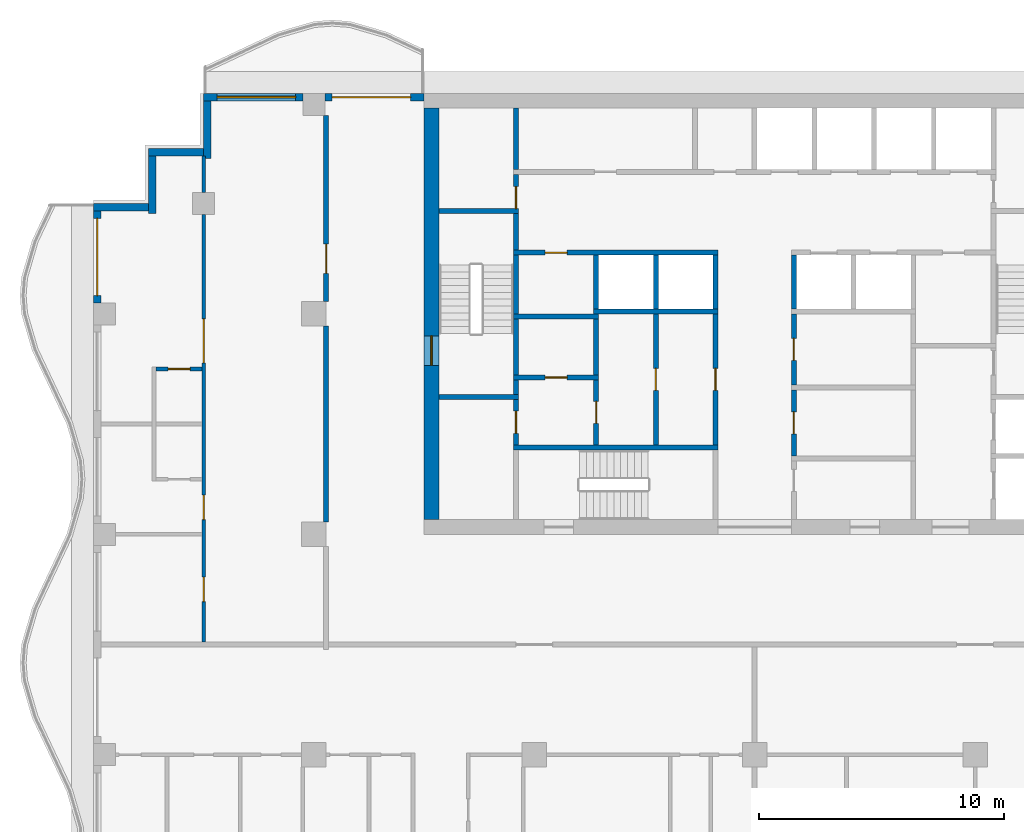
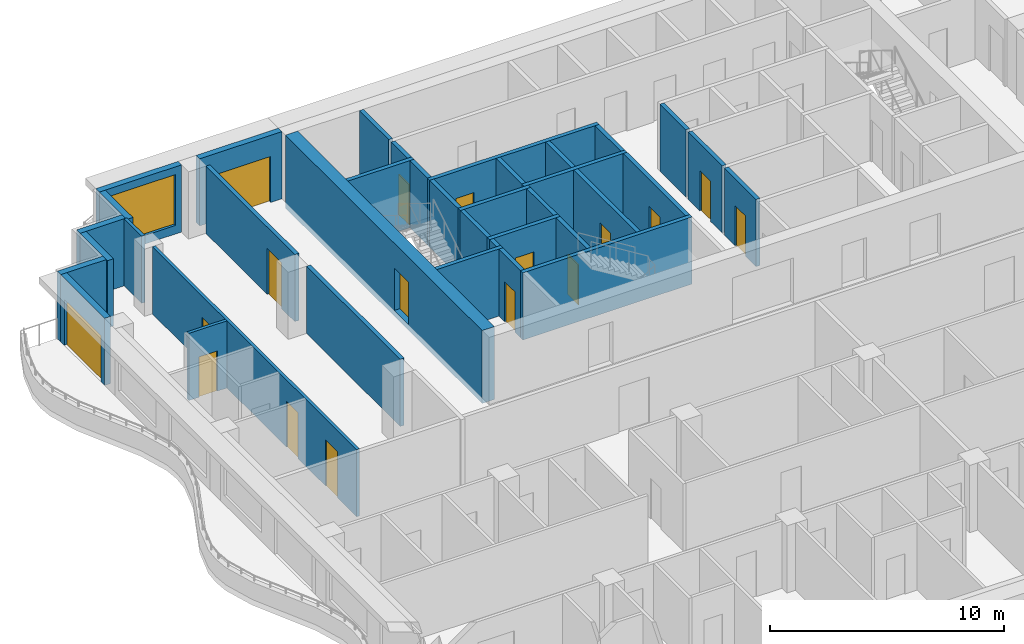
# One storey, part 5 of 11: 37 walls, 17 doors, 1 window, 18 openings.
"""IFC4 building model written with IfcOpenShell, lengths in metres."""

from ifc_helpers import new_model, si_unit, direction, frame, frame_2d, origin, place, context, subcontext, project, spatial, rectangle, extrude, material, layer, layer_set, type_object, element, fill, save


model = new_model("IFC4")

# Units and contexts
model_context = context("Model", 3, precision=1e-05, world=origin(), true_north=direction((0.0, 1.0)))
body_context = subcontext(model_context, "Body", "Model", "MODEL_VIEW")
ifc_project = project(units=[si_unit("LENGTHUNIT", "METRE"), si_unit("AREAUNIT", "SQUARE_METRE"), si_unit("VOLUMEUNIT", "CUBIC_METRE"), si_unit("PLANEANGLEUNIT", "RADIAN"), si_unit("MASSUNIT", "GRAM", prefix="KILO")], contexts=[model_context])

# Site, building, storey
site_placement = place(None, origin())
site = spatial("IfcSite", under=ifc_project, at=site_placement, CompositionType="ELEMENT")
building_placement = place(site_placement, origin())
building = spatial("IfcBuilding", under=site, at=building_placement, Name="Orbiselva Terraces", CompositionType="ELEMENT")
storey_placement = place(building_placement, frame((0.0, 0.0, 242.6)))
storey = spatial("IfcBuildingStorey", under=building, at=storey_placement, Name="L61", CompositionType="ELEMENT", Elevation=242.6)

# Wall, opening, door
ifc_material_1 = material(Name="Concrete C80/95", Category="concrete")
ifc_layer_1 = layer(ifc_material_1, 0.6)
ifc_layer_set_1 = layer_set([ifc_layer_1], Name="Concrete C80/95")
wall_type_1 = type_object("IfcWallType", Name="CORE WALL 600", PredefinedType="SHEAR", material=ifc_layer_set_1)
wall_1_placement = place(storey_placement, frame((-13.2, 21.9, -0.3), z_axis=(0.0, 0.0, 1.0), x_axis=(0.0, -1.0, 0.0)))
wall_1 = element("IfcWall", 1, at=wall_1_placement, inside=storey, type_object=wall_type_1, Name="Core wall L61 west", PredefinedType="SHEAR", context=body_context, shape_type="SweptSolid", body=[
    extrude(rectangle(XDim=16.8, YDim=0.6, at=frame_2d((8.4, 0.0))), origin(), (0.0, 0.0, 1.0), 3.8),
])
opening_1_placement = place(wall_1_placement, frame((9.3, 0.0, 0.3)))
opening_1 = element("IfcOpeningElement", 2, at=opening_1_placement, cuts=wall_1, Name="Opening DS1200", PredefinedType="OPENING", context=body_context, shape_type="SweptSolid", body=[
    extrude(rectangle(XDim=1.2, YDim=2.2, at=frame_2d((0.6, 1.1))), frame((0.0, 0.31, 0.0), z_axis=(0.0, -1.0, 0.0), x_axis=(1.0, 0.0, 0.0)), (0.0, 0.0, 1.0), 0.62),
])
ifc_material_2 = material(Name="Steel fire door", Category="steel")
door_type_1 = type_object("IfcDoorType", Name="STAIR DOOR 1200", OperationType="NOTDEFINED", PredefinedType="DOOR", material=ifc_material_2)
door_1_placement = place(opening_1_placement, frame((1.2, 0.0, 0.0), z_axis=(0.0, 0.0, 1.0), x_axis=(-1.0, 0.0, 0.0)))
door_1 = element("IfcDoor", 3, at=door_1_placement, inside=storey, type_object=door_type_1, Name="L61 EXIT STAIR S1 door", OperationType="SINGLE_SWING_RIGHT", OverallHeight=2.2, OverallWidth=1.2, PredefinedType="DOOR", context=body_context, shape_type="SweptSolid", body=[
    extrude(rectangle(XDim=1.2, YDim=2.2, at=frame_2d((0.6, 1.1))), frame((0.0, 0.025, 0.0), z_axis=(0.0, -1.0, 0.0), x_axis=(1.0, 0.0, 0.0)), (0.0, 0.0, 1.0), 0.05),
])
fill(opening_1, door_1)

ifc_material_3 = material(Name="Masonry blockwork", Category="masonry")
ifc_layer_2 = layer(ifc_material_3, 0.2)
ifc_layer_set_2 = layer_set([ifc_layer_2], Name="Masonry blockwork")
wall_type_2 = type_object("IfcWallType", Name="CORE-WALL-PARTITION-200", PredefinedType="PARTITIONING", material=ifc_layer_set_2)
wall_2_placement = place(storey_placement, frame((-9.75, 8.15, 0.0), z_axis=(0.0, 0.0, 1.0), x_axis=(0.0, 1.0, 0.0)))
wall_2 = element("IfcWall", 4, at=wall_2_placement, inside=storey, type_object=wall_type_2, Name="L61 core wall 05", PredefinedType="PARTITIONING", context=body_context, shape_type="SweptSolid", body=[
    extrude(rectangle(XDim=1.85, YDim=0.2, at=frame_2d((0.925, 0.0))), origin(), (0.0, 0.0, 1.0), 3.5),
])
opening_2_placement = place(wall_2_placement, frame((0.475, 0.0, 0.0)))
opening_2 = element("IfcOpeningElement", 5, at=opening_2_placement, cuts=wall_2, Name="Opening DR900", PredefinedType="OPENING", context=body_context, shape_type="SweptSolid", body=[
    extrude(rectangle(XDim=0.9, YDim=2.1, at=frame_2d((0.45, 1.05))), frame((0.0, 0.11, 0.0), z_axis=(0.0, -1.0, 0.0), x_axis=(1.0, 0.0, 0.0)), (0.0, 0.0, 1.0), 0.22),
])
door_type_2 = type_object("IfcDoorType", Name="ROOM DOOR 900", OperationType="NOTDEFINED", PredefinedType="DOOR", material=ifc_material_2)
door_2_placement = place(opening_2_placement, origin())
door_2 = element("IfcDoor", 6, at=door_2_placement, inside=storey, type_object=door_type_2, Name="L61 STAFF WC door", OperationType="SINGLE_SWING_RIGHT", OverallHeight=2.1, OverallWidth=0.9, PredefinedType="DOOR", context=body_context, shape_type="SweptSolid", body=[
    extrude(rectangle(XDim=0.9, YDim=2.1, at=frame_2d((0.45, 1.05))), frame((0.0, 0.025, 0.0), z_axis=(0.0, -1.0, 0.0), x_axis=(1.0, 0.0, 0.0)), (0.0, 0.0, 1.0), 0.05),
])
fill(opening_2, door_2)

wall_3_placement = place(storey_placement, frame((-9.75, 17.8, 0.0), z_axis=(0.0, 0.0, 1.0), x_axis=(0.0, 1.0, 0.0)))
wall_3 = element("IfcWall", 7, at=wall_3_placement, inside=storey, type_object=wall_type_2, Name="L61 core wall 13", PredefinedType="PARTITIONING", context=body_context, shape_type="SweptSolid", body=[
    extrude(rectangle(XDim=1.4, YDim=0.2, at=frame_2d((0.7, 0.0))), origin(), (0.0, 0.0, 1.0), 3.5),
])
opening_3_placement = place(wall_3_placement, origin())
opening_3 = element("IfcOpeningElement", 8, at=opening_3_placement, cuts=wall_3, Name="Opening DR900", PredefinedType="OPENING", context=body_context, shape_type="SweptSolid", body=[
    extrude(rectangle(XDim=0.9, YDim=2.1, at=frame_2d((0.45, 1.05))), frame((0.0, 0.11, 0.0), z_axis=(0.0, -1.0, 0.0), x_axis=(1.0, 0.0, 0.0)), (0.0, 0.0, 1.0), 0.22),
])
door_3_placement = place(opening_3_placement, origin())
door_3 = element("IfcDoor", 9, at=door_3_placement, inside=storey, type_object=door_type_2, Name="L61 COMMS RISER ROOM door", OperationType="SINGLE_SWING_LEFT", OverallHeight=2.1, OverallWidth=0.9, PredefinedType="DOOR", context=body_context, shape_type="SweptSolid", body=[
    extrude(rectangle(XDim=0.9, YDim=2.1, at=frame_2d((0.45, 1.05))), frame((0.0, 0.025, 0.0), z_axis=(0.0, -1.0, 0.0), x_axis=(1.0, 0.0, 0.0)), (0.0, 0.0, 1.0), 0.05),
])
fill(opening_3, door_3)

# Wall
wall_4_placement = place(storey_placement, frame((-9.75, 19.4, 0.0), z_axis=(0.0, 0.0, 1.0), x_axis=(0.0, 1.0, 0.0)))
element("IfcWall", 10, at=wall_4_placement, inside=storey, type_object=wall_type_2, Name="L61 core wall 15", PredefinedType="PARTITIONING", context=body_context, shape_type="SweptSolid", body=[
    extrude(rectangle(XDim=2.5, YDim=0.2, at=frame_2d((1.25, 0.0))), origin(), (0.0, 0.0, 1.0), 3.5),
])

# Wall, opening, door
wall_5_placement = place(storey_placement, frame((-6.475, 8.15, 0.0), z_axis=(0.0, 0.0, 1.0), x_axis=(0.0, 1.0, 0.0)))
wall_5 = element("IfcWall", 11, at=wall_5_placement, inside=storey, type_object=wall_type_2, Name="L61 core wall 16", PredefinedType="PARTITIONING", context=body_context, shape_type="SweptSolid", body=[
    extrude(rectangle(XDim=2.65, YDim=0.2, at=frame_2d((1.325, 0.0))), origin(), (0.0, 0.0, 1.0), 3.5),
])
opening_4_placement = place(wall_5_placement, frame((0.875, 0.0, 0.0)))
opening_4 = element("IfcOpeningElement", 12, at=opening_4_placement, cuts=wall_5, Name="Opening DR900", PredefinedType="OPENING", context=body_context, shape_type="SweptSolid", body=[
    extrude(rectangle(XDim=0.9, YDim=2.1, at=frame_2d((0.45, 1.05))), frame((0.0, 0.11, 0.0), z_axis=(0.0, -1.0, 0.0), x_axis=(1.0, 0.0, 0.0)), (0.0, 0.0, 1.0), 0.22),
])
door_4_placement = place(opening_4_placement, origin())
door_4 = element("IfcDoor", 13, at=door_4_placement, inside=storey, type_object=door_type_2, Name="L61 UNIFORM STORE door", OperationType="SINGLE_SWING_LEFT", OverallHeight=2.1, OverallWidth=0.9, PredefinedType="DOOR", context=body_context, shape_type="SweptSolid", body=[
    extrude(rectangle(XDim=0.9, YDim=2.1, at=frame_2d((0.45, 1.05))), frame((0.0, 0.025, 0.0), z_axis=(0.0, -1.0, 0.0), x_axis=(1.0, 0.0, 0.0)), (0.0, 0.0, 1.0), 0.05),
])
fill(opening_4, door_4)

# Wall
wall_6_placement = place(storey_placement, frame((-6.475, 11.0, 0.0), z_axis=(0.0, 0.0, 1.0), x_axis=(0.0, 1.0, 0.0)))
element("IfcWall", 14, at=wall_6_placement, inside=storey, type_object=wall_type_2, Name="L61 core wall 17", PredefinedType="PARTITIONING", context=body_context, shape_type="SweptSolid", body=[
    extrude(rectangle(XDim=2.3, YDim=0.2, at=frame_2d((1.15, 0.0))), origin(), (0.0, 0.0, 1.0), 3.5),
])

# Wall, opening, door
wall_7_placement = place(storey_placement, frame((-4.0375, 8.15, 0.0), z_axis=(0.0, 0.0, 1.0), x_axis=(0.0, 1.0, 0.0)))
wall_7 = element("IfcWall", 15, at=wall_7_placement, inside=storey, type_object=wall_type_2, Name="L61 core wall 20", PredefinedType="PARTITIONING", context=body_context, shape_type="SweptSolid", body=[
    extrude(rectangle(XDim=5.35, YDim=0.2, at=frame_2d((2.675, 0.0))), origin(), (0.0, 0.0, 1.0), 3.5),
])
opening_5_placement = place(wall_7_placement, frame((2.225, 0.0, 0.0)))
opening_5 = element("IfcOpeningElement", 16, at=opening_5_placement, cuts=wall_7, Name="Opening DR900", PredefinedType="OPENING", context=body_context, shape_type="SweptSolid", body=[
    extrude(rectangle(XDim=0.9, YDim=2.1, at=frame_2d((0.45, 1.05))), frame((0.0, 0.11, 0.0), z_axis=(0.0, -1.0, 0.0), x_axis=(1.0, 0.0, 0.0)), (0.0, 0.0, 1.0), 0.22),
])
door_5_placement = place(opening_5_placement, origin())
door_5 = element("IfcDoor", 17, at=door_5_placement, inside=storey, type_object=door_type_2, Name="L61 BUILDING STORE door", OperationType="SINGLE_SWING_RIGHT", OverallHeight=2.1, OverallWidth=0.9, PredefinedType="DOOR", context=body_context, shape_type="SweptSolid", body=[
    extrude(rectangle(XDim=0.9, YDim=2.1, at=frame_2d((0.45, 1.05))), frame((0.0, 0.025, 0.0), z_axis=(0.0, -1.0, 0.0), x_axis=(1.0, 0.0, 0.0)), (0.0, 0.0, 1.0), 0.05),
])
fill(opening_5, door_5)

wall_8_placement = place(storey_placement, frame((1.6, 10.4, 0.0), z_axis=(0.0, 0.0, 1.0), x_axis=(0.0, -1.0, 0.0)))
wall_8 = element("IfcWall", 18, at=wall_8_placement, inside=storey, type_object=wall_type_2, Name="L61 core wall 29", PredefinedType="PARTITIONING", context=body_context, shape_type="SweptSolid", body=[
    extrude(rectangle(XDim=2.7, YDim=0.2, at=frame_2d((1.35, 0.0))), origin(), (0.0, 0.0, 1.0), 3.5),
])
opening_6_placement = place(wall_8_placement, frame((0.9, 0.0, 0.0)))
opening_6 = element("IfcOpeningElement", 19, at=opening_6_placement, cuts=wall_8, Name="Opening DR900", PredefinedType="OPENING", context=body_context, shape_type="SweptSolid", body=[
    extrude(rectangle(XDim=0.9, YDim=2.1, at=frame_2d((0.45, 1.05))), frame((0.0, 0.11, 0.0), z_axis=(0.0, -1.0, 0.0), x_axis=(1.0, 0.0, 0.0)), (0.0, 0.0, 1.0), 0.22),
])
door_6_placement = place(opening_6_placement, origin())
door_6 = element("IfcDoor", 20, at=door_6_placement, inside=storey, type_object=door_type_2, Name="L61 SERVICE PANTRY door", OperationType="SINGLE_SWING_LEFT", OverallHeight=2.1, OverallWidth=0.9, PredefinedType="DOOR", context=body_context, shape_type="SweptSolid", body=[
    extrude(rectangle(XDim=0.9, YDim=2.1, at=frame_2d((0.45, 1.05))), frame((0.0, 0.025, 0.0), z_axis=(0.0, -1.0, 0.0), x_axis=(1.0, 0.0, 0.0)), (0.0, 0.0, 1.0), 0.05),
])
fill(opening_6, door_6)

wall_9_placement = place(storey_placement, frame((1.6, 13.5, 0.0), z_axis=(0.0, 0.0, 1.0), x_axis=(0.0, -1.0, 0.0)))
wall_9 = element("IfcWall", 21, at=wall_9_placement, inside=storey, type_object=wall_type_2, Name="L61 core wall 31", PredefinedType="PARTITIONING", context=body_context, shape_type="SweptSolid", body=[
    extrude(rectangle(XDim=2.9, YDim=0.2, at=frame_2d((1.45, 0.0))), origin(), (0.0, 0.0, 1.0), 3.5),
])
opening_7_placement = place(wall_9_placement, frame((1.0, 0.0, 0.0)))
opening_7 = element("IfcOpeningElement", 22, at=opening_7_placement, cuts=wall_9, Name="Opening DR900", PredefinedType="OPENING", context=body_context, shape_type="SweptSolid", body=[
    extrude(rectangle(XDim=0.9, YDim=2.1, at=frame_2d((0.45, 1.05))), frame((0.0, 0.11, 0.0), z_axis=(0.0, -1.0, 0.0), x_axis=(1.0, 0.0, 0.0)), (0.0, 0.0, 1.0), 0.22),
])
door_7_placement = place(opening_7_placement, origin())
door_7 = element("IfcDoor", 23, at=door_7_placement, inside=storey, type_object=door_type_2, Name="L61 STAFF WC door", OperationType="SINGLE_SWING_LEFT", OverallHeight=2.1, OverallWidth=0.9, PredefinedType="DOOR", context=body_context, shape_type="SweptSolid", body=[
    extrude(rectangle(XDim=0.9, YDim=2.1, at=frame_2d((0.45, 1.05))), frame((0.0, 0.025, 0.0), z_axis=(0.0, -1.0, 0.0), x_axis=(1.0, 0.0, 0.0)), (0.0, 0.0, 1.0), 0.05),
])
fill(opening_7, door_7)

# Walls
ifc_material_4 = material(Name="Concrete C40/50", Category="concrete")
ifc_layer_3 = layer(ifc_material_4, 0.2)
ifc_layer_set_3 = layer_set([ifc_layer_3], Name="Concrete C40/50")
wall_type_3 = type_object("IfcWallType", Name="CORE-WALL-SHAFT-200", PredefinedType="PARTITIONING", material=ifc_layer_set_3)
for number, where, z_axis, x_axis, name in (
    (24, (-6.475, 13.7, 0.0), (0.0, 0.0, 1.0), (0.0, 1.0, 0.0), "L61 core wall 19"),
    (25, (-4.0375, 13.7, 0.0), (0.0, 0.0, 1.0), (0.0, 1.0, 0.0), "L61 core wall 21"),
    (26, (-1.6, 13.7, 0.0), (0.0, 0.0, 1.0), (0.0, 1.0, 0.0), "L61 core wall 25"),
    (27, (1.6, 13.7, 0.0), (0.0, 0.0, 1.0), (0.0, 1.0, 0.0), "L61 core wall 33"),
):
    element("IfcWall", number, at=place(storey_placement, frame(where, z_axis=z_axis, x_axis=x_axis)), inside=storey, type_object=wall_type_3, Name=name, PredefinedType="PARTITIONING", context=body_context, shape_type="SweptSolid", body=[
        extrude(rectangle(XDim=2.2, YDim=0.2, at=frame_2d((1.1, 0.0))), origin(), (0.0, 0.0, 1.0), 3.5),
    ])
ifc_material_5 = material(Name="Concrete C60/75", Category="concrete")
ifc_layer_4 = layer(ifc_material_5, 0.2)
ifc_layer_set_4 = layer_set([ifc_layer_4], Name="Concrete C60/75")
wall_type_4 = type_object("IfcWallType", Name="CORE-WALL-SHEAR-200", PredefinedType="SHEAR", material=ifc_layer_set_4)
for number, where, z_axis, x_axis, name in (
    (28, (-12.9, 10.1, 0.0), (0.0, 0.0, 1.0), (1.0, 0.0, 0.0), "L61 core wall 01"),
    (29, (-12.9, 17.7, 0.0), (0.0, 0.0, 1.0), (1.0, 0.0, 0.0), "L61 core wall 02"),
):
    element("IfcWall", number, at=place(storey_placement, frame(where, z_axis=z_axis, x_axis=x_axis)), inside=storey, type_object=wall_type_4, Name=name, PredefinedType="SHEAR", context=body_context, shape_type="SweptSolid", body=[
        extrude(rectangle(XDim=3.25, YDim=0.2, at=frame_2d((1.625, 0.0))), origin(), (0.0, 0.0, 1.0), 3.5),
    ])
wall_10_placement = place(storey_placement, frame((-9.85, 8.05, 0.0), z_axis=(0.0, 0.0, 1.0), x_axis=(1.0, 0.0, 0.0)))
element("IfcWall", 30, at=wall_10_placement, inside=storey, type_object=wall_type_4, Name="L61 core wall 04", PredefinedType="SHEAR", context=body_context, shape_type="SweptSolid", body=[
    extrude(rectangle(XDim=8.35, YDim=0.2, at=frame_2d((4.175, 0.0))), origin(), (0.0, 0.0, 1.0), 3.5),
])
wall_11_placement = place(storey_placement, frame((-9.75, 10.2, 0.0), z_axis=(0.0, 0.0, 1.0), x_axis=(0.0, 1.0, 0.0)))
element("IfcWall", 31, at=wall_11_placement, inside=storey, type_object=wall_type_4, Name="L61 core wall 06", PredefinedType="SHEAR", context=body_context, shape_type="SweptSolid", body=[
    extrude(rectangle(XDim=0.6, YDim=0.2, at=frame_2d((0.3, 0.0))), origin(), (0.0, 0.0, 1.0), 3.5),
])

# Wall, opening, door
wall_12_placement = place(storey_placement, frame((-9.85, 10.9, 0.0), z_axis=(0.0, 0.0, 1.0), x_axis=(1.0, 0.0, 0.0)))
wall_12 = element("IfcWall", 32, at=wall_12_placement, inside=storey, type_object=wall_type_4, Name="L61 core wall 07", PredefinedType="SHEAR", context=body_context, shape_type="SweptSolid", body=[
    extrude(rectangle(XDim=3.475, YDim=0.2, at=frame_2d((1.7375, 0.0))), origin(), (0.0, 0.0, 1.0), 3.5),
])
opening_8_placement = place(wall_12_placement, frame((1.2875, 0.0, 0.0)))
opening_8 = element("IfcOpeningElement", 33, at=opening_8_placement, cuts=wall_12, Name="Opening DR900", PredefinedType="OPENING", context=body_context, shape_type="SweptSolid", body=[
    extrude(rectangle(XDim=0.9, YDim=2.1, at=frame_2d((0.45, 1.05))), frame((0.0, 0.11, 0.0), z_axis=(0.0, -1.0, 0.0), x_axis=(1.0, 0.0, 0.0)), (0.0, 0.0, 1.0), 0.22),
])
door_8_placement = place(opening_8_placement, origin())
door_8 = element("IfcDoor", 34, at=door_8_placement, inside=storey, type_object=door_type_2, Name="L61 LAUNDRY ROOM door", OperationType="SINGLE_SWING_RIGHT", OverallHeight=2.1, OverallWidth=0.9, PredefinedType="DOOR", context=body_context, shape_type="SweptSolid", body=[
    extrude(rectangle(XDim=0.9, YDim=2.1, at=frame_2d((0.45, 1.05))), frame((0.0, 0.025, 0.0), z_axis=(0.0, -1.0, 0.0), x_axis=(1.0, 0.0, 0.0)), (0.0, 0.0, 1.0), 0.05),
])
fill(opening_8, door_8)

# Walls
wall_13_placement = place(storey_placement, frame((-9.75, 11.0, 0.0), z_axis=(0.0, 0.0, 1.0), x_axis=(0.0, 1.0, 0.0)))
element("IfcWall", 35, at=wall_13_placement, inside=storey, type_object=wall_type_4, Name="L61 core wall 08", PredefinedType="SHEAR", context=body_context, shape_type="SweptSolid", body=[
    extrude(rectangle(XDim=2.3, YDim=0.2, at=frame_2d((1.15, 0.0))), origin(), (0.0, 0.0, 1.0), 3.5),
])
wall_14_placement = place(storey_placement, frame((-9.85, 13.4, 0.0), z_axis=(0.0, 0.0, 1.0), x_axis=(1.0, 0.0, 0.0)))
element("IfcWall", 36, at=wall_14_placement, inside=storey, type_object=wall_type_4, Name="L61 core wall 09", PredefinedType="SHEAR", context=body_context, shape_type="SweptSolid", body=[
    extrude(rectangle(XDim=3.475, YDim=0.2, at=frame_2d((1.7375, 0.0))), origin(), (0.0, 0.0, 1.0), 3.5),
])
wall_15_placement = place(storey_placement, frame((-9.75, 13.5, 0.0), z_axis=(0.0, 0.0, 1.0), x_axis=(0.0, 1.0, 0.0)))
element("IfcWall", 37, at=wall_15_placement, inside=storey, type_object=wall_type_4, Name="L61 core wall 10", PredefinedType="SHEAR", context=body_context, shape_type="SweptSolid", body=[
    extrude(rectangle(XDim=2.4, YDim=0.2, at=frame_2d((1.2, 0.0))), origin(), (0.0, 0.0, 1.0), 3.5),
])

# Wall, opening, door
wall_16_placement = place(storey_placement, frame((-1.5, 16.0, 0.0), z_axis=(0.0, 0.0, 1.0), x_axis=(-1.0, 0.0, 0.0)))
wall_16 = element("IfcWall", 38, at=wall_16_placement, inside=storey, type_object=wall_type_4, Name="L61 core wall 11", PredefinedType="SHEAR", context=body_context, shape_type="SweptSolid", body=[
    extrude(rectangle(XDim=8.35, YDim=0.2, at=frame_2d((4.175, 0.0))), origin(), (0.0, 0.0, 1.0), 3.5),
])
opening_9_placement = place(wall_16_placement, frame((6.1625, 0.0, 0.0)))
opening_9 = element("IfcOpeningElement", 39, at=opening_9_placement, cuts=wall_16, Name="Opening DR900", PredefinedType="OPENING", context=body_context, shape_type="SweptSolid", body=[
    extrude(rectangle(XDim=0.9, YDim=2.1, at=frame_2d((0.45, 1.05))), frame((0.0, 0.11, 0.0), z_axis=(0.0, -1.0, 0.0), x_axis=(1.0, 0.0, 0.0)), (0.0, 0.0, 1.0), 0.22),
])
door_9_placement = place(opening_9_placement, origin())
door_9 = element("IfcDoor", 40, at=door_9_placement, inside=storey, type_object=door_type_2, Name="L61 STAFF PANTRY door", OperationType="SINGLE_SWING_RIGHT", OverallHeight=2.1, OverallWidth=0.9, PredefinedType="DOOR", context=body_context, shape_type="SweptSolid", body=[
    extrude(rectangle(XDim=0.9, YDim=2.1, at=frame_2d((0.45, 1.05))), frame((0.0, 0.025, 0.0), z_axis=(0.0, -1.0, 0.0), x_axis=(1.0, 0.0, 0.0)), (0.0, 0.0, 1.0), 0.05),
])
fill(opening_9, door_9)

# Walls
wall_17_placement = place(storey_placement, frame((-9.75, 16.1, 0.0), z_axis=(0.0, 0.0, 1.0), x_axis=(0.0, 1.0, 0.0)))
element("IfcWall", 41, at=wall_17_placement, inside=storey, type_object=wall_type_4, Name="L61 core wall 12", PredefinedType="SHEAR", context=body_context, shape_type="SweptSolid", body=[
    extrude(rectangle(XDim=1.5, YDim=0.2, at=frame_2d((0.75, 0.0))), origin(), (0.0, 0.0, 1.0), 3.5),
])
wall_18_placement = place(storey_placement, frame((-6.575, 13.6, 0.0), z_axis=(0.0, 0.0, 1.0), x_axis=(1.0, 0.0, 0.0)))
element("IfcWall", 42, at=wall_18_placement, inside=storey, type_object=wall_type_4, Name="L61 core wall 18", PredefinedType="SHEAR", context=body_context, shape_type="SweptSolid", body=[
    extrude(rectangle(XDim=5.075, YDim=0.2, at=frame_2d((2.5375, 0.0))), origin(), (0.0, 0.0, 1.0), 3.5),
])

# Wall, opening, door
wall_19_placement = place(storey_placement, frame((-1.6, 8.15, 0.0), z_axis=(0.0, 0.0, 1.0), x_axis=(0.0, 1.0, 0.0)))
wall_19 = element("IfcWall", 43, at=wall_19_placement, inside=storey, type_object=wall_type_4, Name="L61 core wall 24", PredefinedType="SHEAR", context=body_context, shape_type="SweptSolid", body=[
    extrude(rectangle(XDim=5.35, YDim=0.2, at=frame_2d((2.675, 0.0))), origin(), (0.0, 0.0, 1.0), 3.5),
])
opening_10_placement = place(wall_19_placement, frame((2.225, 0.0, 0.0)))
opening_10 = element("IfcOpeningElement", 44, at=opening_10_placement, cuts=wall_19, Name="Opening DR900", PredefinedType="OPENING", context=body_context, shape_type="SweptSolid", body=[
    extrude(rectangle(XDim=0.9, YDim=2.1, at=frame_2d((0.45, 1.05))), frame((0.0, 0.11, 0.0), z_axis=(0.0, -1.0, 0.0), x_axis=(1.0, 0.0, 0.0)), (0.0, 0.0, 1.0), 0.22),
])
door_10_placement = place(opening_10_placement, origin())
door_10 = element("IfcDoor", 45, at=door_10_placement, inside=storey, type_object=door_type_2, Name="L61 GUEST PANTRY door", OperationType="SINGLE_SWING_RIGHT", OverallHeight=2.1, OverallWidth=0.9, PredefinedType="DOOR", context=body_context, shape_type="SweptSolid", body=[
    extrude(rectangle(XDim=0.9, YDim=2.1, at=frame_2d((0.45, 1.05))), frame((0.0, 0.025, 0.0), z_axis=(0.0, -1.0, 0.0), x_axis=(1.0, 0.0, 0.0)), (0.0, 0.0, 1.0), 0.05),
])
fill(opening_10, door_10)

ifc_material_6 = material(Name="Terracotta cladding on masonry backing", Category="masonry")
ifc_layer_5 = layer(ifc_material_6, 0.3)
ifc_layer_set_5 = layer_set([ifc_layer_5], Name="Terracotta cladding on masonry backing")
wall_type_5 = type_object("IfcWallType", Name="ENV-WALL-TERRACOTTA-300", PredefinedType="SOLIDWALL", material=ifc_layer_set_5)
wall_20_placement = place(storey_placement, frame((-17.55, 22.35, 0.0), z_axis=(0.0, 0.0, 1.0), x_axis=(1.0, 0.0, 0.0)))
wall_20 = element("IfcWall", 46, at=wall_20_placement, inside=storey, type_object=wall_type_5, Name="Facade wall L61 NW", PredefinedType="SOLIDWALL", context=body_context, shape_type="SweptSolid", body=[
    extrude(rectangle(XDim=4.05, YDim=0.3, at=frame_2d((2.025, 0.0))), origin(), (0.0, 0.0, 1.0), 3.5),
])
opening_11_placement = place(wall_20_placement, frame((0.3, 0.0, 0.0)))
opening_11 = element("IfcOpeningElement", 47, at=opening_11_placement, cuts=wall_20, Name="Opening Z5-A-E16", PredefinedType="OPENING", context=body_context, shape_type="SweptSolid", body=[
    extrude(rectangle(XDim=3.2, YDim=2.4, at=frame_2d((1.6, 1.2))), frame((0.0, 0.16, 0.0), z_axis=(0.0, -1.0, 0.0), x_axis=(1.0, 0.0, 0.0)), (0.0, 0.0, 1.0), 0.32),
])
ifc_material_7 = material(Name="Clear low-e glazing in aluminium frame", Category="aluminium")
door_type_3 = type_object("IfcDoorType", Name="BALCONY DOOR 3200 X 2400", OperationType="DOUBLE_DOOR_SLIDING", PredefinedType="DOOR", material=ifc_material_7)
door_11_placement = place(opening_11_placement, origin())
door_11 = element("IfcDoor", 48, at=door_11_placement, inside=storey, type_object=door_type_3, Name="Z5-A-E16", OperationType="SINGLE_SWING_LEFT", OverallHeight=2.4, OverallWidth=3.2, PredefinedType="DOOR", context=body_context, shape_type="SweptSolid", body=[
    extrude(rectangle(XDim=3.2, YDim=2.4, at=frame_2d((1.6, 1.2))), frame((0.0, 0.025, 0.0), z_axis=(0.0, -1.0, 0.0), x_axis=(1.0, 0.0, 0.0)), (0.0, 0.0, 1.0), 0.05),
])
fill(opening_11, door_11)

# Wall, opening, window
wall_21_placement = place(storey_placement, frame((-22.5, 22.35, 0.0), z_axis=(0.0, 0.0, 1.0), x_axis=(1.0, 0.0, 0.0)))
wall_21 = element("IfcWall", 49, at=wall_21_placement, inside=storey, type_object=wall_type_5, Name="Facade wall L61 NW", PredefinedType="SOLIDWALL", context=body_context, shape_type="SweptSolid", body=[
    extrude(rectangle(XDim=4.05, YDim=0.3, at=frame_2d((2.025, 0.0))), origin(), (0.0, 0.0, 1.0), 3.5),
])
opening_12_placement = place(wall_21_placement, frame((0.55, 0.0, 0.45)))
opening_12 = element("IfcOpeningElement", 50, at=opening_12_placement, cuts=wall_21, Name="Opening WN17", PredefinedType="OPENING", context=body_context, shape_type="SweptSolid", body=[
    extrude(rectangle(XDim=3.2, YDim=2.65, at=frame_2d((1.6, 1.325))), frame((0.0, 0.16, 0.0), z_axis=(0.0, -1.0, 0.0), x_axis=(1.0, 0.0, 0.0)), (0.0, 0.0, 1.0), 0.32),
])
window_type = type_object("IfcWindowType", Name="WINDOW 3200 X 2650 S450", PartitioningType="TRIPLE_PANEL_VERTICAL", PredefinedType="WINDOW", material=ifc_material_7)
window_placement = place(opening_12_placement, origin())
window = element("IfcWindow", 51, at=window_placement, inside=storey, type_object=window_type, Name="Window L61 NW", OverallHeight=2.65, OverallWidth=3.2, PartitioningType="SINGLE_PANEL", PredefinedType="WINDOW", context=body_context, shape_type="SweptSolid", body=[
    extrude(rectangle(XDim=3.2, YDim=2.65, at=frame_2d((1.6, 1.325))), frame((0.0, 0.03, 0.0), z_axis=(0.0, -1.0, 0.0), x_axis=(1.0, 0.0, 0.0)), (0.0, 0.0, 1.0), 0.06),
])
fill(opening_12, window)

# Walls
wall_22_placement = place(storey_placement, frame((-22.35, 19.85, 0.0), z_axis=(0.0, 0.0, 1.0), x_axis=(0.0, 1.0, 0.0)))
element("IfcWall", 52, at=wall_22_placement, inside=storey, type_object=wall_type_5, Name="Facade wall L61 STEP", PredefinedType="SOLIDWALL", context=body_context, shape_type="SweptSolid", body=[
    extrude(rectangle(XDim=2.35, YDim=0.3, at=frame_2d((1.175, 0.0))), origin(), (0.0, 0.0, 1.0), 3.5),
])
wall_23_placement = place(storey_placement, frame((-24.75, 20.1, 0.0), z_axis=(0.0, 0.0, 1.0), x_axis=(1.0, 0.0, 0.0)))
element("IfcWall", 53, at=wall_23_placement, inside=storey, type_object=wall_type_5, Name="Facade wall L61 STEP", PredefinedType="SOLIDWALL", context=body_context, shape_type="SweptSolid", body=[
    extrude(rectangle(XDim=2.25, YDim=0.3, at=frame_2d((1.125, 0.0))), origin(), (0.0, 0.0, 1.0), 3.5),
])
wall_24_placement = place(storey_placement, frame((-24.6, 17.6, 0.0), z_axis=(0.0, 0.0, 1.0), x_axis=(0.0, 1.0, 0.0)))
element("IfcWall", 54, at=wall_24_placement, inside=storey, type_object=wall_type_5, Name="Facade wall L61 STEP", PredefinedType="SOLIDWALL", context=body_context, shape_type="SweptSolid", body=[
    extrude(rectangle(XDim=2.35, YDim=0.3, at=frame_2d((1.175, 0.0))), origin(), (0.0, 0.0, 1.0), 3.5),
])
wall_25_placement = place(storey_placement, frame((-27.0, 17.85, 0.0), z_axis=(0.0, 0.0, 1.0), x_axis=(1.0, 0.0, 0.0)))
element("IfcWall", 55, at=wall_25_placement, inside=storey, type_object=wall_type_5, Name="Facade wall L61 STEP", PredefinedType="SOLIDWALL", context=body_context, shape_type="SweptSolid", body=[
    extrude(rectangle(XDim=2.25, YDim=0.3, at=frame_2d((1.125, 0.0))), origin(), (0.0, 0.0, 1.0), 3.5),
])

# Wall, opening, door
wall_26_placement = place(storey_placement, frame((-26.85, 13.95, 0.0), z_axis=(0.0, 0.0, 1.0), x_axis=(0.0, 1.0, 0.0)))
wall_26 = element("IfcWall", 56, at=wall_26_placement, inside=storey, type_object=wall_type_5, Name="Facade wall L61 W", PredefinedType="SOLIDWALL", context=body_context, shape_type="SweptSolid", body=[
    extrude(rectangle(XDim=3.75, YDim=0.3, at=frame_2d((1.875, 0.0))), origin(), (0.0, 0.0, 1.0), 3.5),
])
opening_13_placement = place(wall_26_placement, frame((0.3, 0.0, 0.0)))
opening_13 = element("IfcOpeningElement", 57, at=opening_13_placement, cuts=wall_26, Name="Opening Z5-A-E17", PredefinedType="OPENING", context=body_context, shape_type="SweptSolid", body=[
    extrude(rectangle(XDim=3.15, YDim=2.4, at=frame_2d((1.575, 1.2))), frame((0.0, 0.16, 0.0), z_axis=(0.0, -1.0, 0.0), x_axis=(1.0, 0.0, 0.0)), (0.0, 0.0, 1.0), 0.32),
])
door_type_4 = type_object("IfcDoorType", Name="BALCONY DOOR 3150 X 2400", OperationType="DOUBLE_DOOR_SLIDING", PredefinedType="DOOR", material=ifc_material_7)
door_12_placement = place(opening_13_placement, origin())
door_12 = element("IfcDoor", 58, at=door_12_placement, inside=storey, type_object=door_type_4, Name="Z5-A-E17", OperationType="SINGLE_SWING_LEFT", OverallHeight=2.4, OverallWidth=3.15, PredefinedType="DOOR", context=body_context, shape_type="SweptSolid", body=[
    extrude(rectangle(XDim=3.15, YDim=2.4, at=frame_2d((1.575, 1.2))), frame((0.0, 0.025, 0.0), z_axis=(0.0, -1.0, 0.0), x_axis=(1.0, 0.0, 0.0)), (0.0, 0.0, 1.0), 0.05),
])
fill(opening_13, door_12)

# Wall
ifc_material_8 = material(Name="Plasterboard on steel stud partition", Category="steel")
ifc_layer_6 = layer(ifc_material_8, 0.2)
ifc_layer_set_6 = layer_set([ifc_layer_6], Name="Plasterboard on steel stud partition")
wall_type_6 = type_object("IfcWallType", Name="UNIT-ENTRANCE-WALL-200", PredefinedType="PARTITIONING", material=ifc_layer_set_6)
wall_27_placement = place(storey_placement, frame((-17.5, 5.0, 0.0), z_axis=(0.0, 0.0, 1.0), x_axis=(0.0, 1.0, 0.0)))
element("IfcWall", 59, at=wall_27_placement, inside=storey, type_object=wall_type_6, Name="PARTITION L61-051", PredefinedType="PARTITIONING", context=body_context, shape_type="SweptSolid", body=[
    extrude(rectangle(XDim=8.0, YDim=0.2, at=frame_2d((4.0, 0.0))), origin(), (0.0, 0.0, 1.0), 3.5),
])

# Wall, opening, door
wall_28_placement = place(storey_placement, frame((-17.5, 14.0, 0.0), z_axis=(0.0, 0.0, 1.0), x_axis=(0.0, 1.0, 0.0)))
wall_28 = element("IfcWall", 60, at=wall_28_placement, inside=storey, type_object=wall_type_6, Name="PARTITION L61-052", PredefinedType="PARTITIONING", context=body_context, shape_type="SweptSolid", body=[
    extrude(rectangle(XDim=7.6, YDim=0.2, at=frame_2d((3.8, 0.0))), origin(), (0.0, 0.0, 1.0), 3.5),
])
opening_14_placement = place(wall_28_placement, frame((1.15, 0.0, 0.0)))
opening_14 = element("IfcOpeningElement", 61, at=opening_14_placement, cuts=wall_28, Name="Opening Z5-A-02", PredefinedType="OPENING", context=body_context, shape_type="SweptSolid", body=[
    extrude(rectangle(XDim=1.2, YDim=2.4, at=frame_2d((0.6, 1.2))), frame((0.0, 0.11, 0.0), z_axis=(0.0, -1.0, 0.0), x_axis=(1.0, 0.0, 0.0)), (0.0, 0.0, 1.0), 0.22),
])
ifc_material_9 = material(Name="Painted timber door leaf", Category="wood")
door_type_5 = type_object("IfcDoorType", Name="ENTRANCE DOOR 1200", OperationType="NOTDEFINED", PredefinedType="DOOR", material=ifc_material_9)
door_13_placement = place(opening_14_placement, origin())
door_13 = element("IfcDoor", 62, at=door_13_placement, inside=storey, type_object=door_type_5, Name="Z5-A-02", OperationType="SINGLE_SWING_LEFT", OverallHeight=2.4, OverallWidth=1.2, PredefinedType="DOOR", context=body_context, shape_type="SweptSolid", body=[
    extrude(rectangle(XDim=1.2, YDim=2.4, at=frame_2d((0.6, 1.2))), frame((0.0, 0.025, 0.0), z_axis=(0.0, -1.0, 0.0), x_axis=(1.0, 0.0, 0.0)), (0.0, 0.0, 1.0), 0.05),
])
fill(opening_14, door_13)

ifc_layer_7 = layer(ifc_material_8, 0.15)
ifc_layer_set_7 = layer_set([ifc_layer_7], Name="Plasterboard on steel stud partition")
wall_type_7 = type_object("IfcWallType", Name="UNIT-PARTITION-150", PredefinedType="PARTITIONING", material=ifc_layer_set_7)
wall_29_placement = place(storey_placement, frame((-22.575, 11.25, 0.0), z_axis=(0.0, 0.0, 1.0), x_axis=(-1.0, 0.0, 0.0)))
wall_29 = element("IfcWall", 63, at=wall_29_placement, inside=storey, type_object=wall_type_7, Name="PARTITION L61-037", PredefinedType="PARTITIONING", context=body_context, shape_type="SweptSolid", body=[
    extrude(rectangle(XDim=1.875, YDim=0.15, at=frame_2d((0.9375, 0.0))), origin(), (0.0, 0.0, 1.0), 3.5),
])
opening_15_placement = place(wall_29_placement, frame((0.475, 0.0, 0.0)))
opening_15 = element("IfcOpeningElement", 64, at=opening_15_placement, cuts=wall_29, Name="Opening Z5-A-07", PredefinedType="OPENING", context=body_context, shape_type="SweptSolid", body=[
    extrude(rectangle(XDim=0.9, YDim=2.1, at=frame_2d((0.45, 1.05))), frame((0.0, 0.085, 0.0), z_axis=(0.0, -1.0, 0.0), x_axis=(1.0, 0.0, 0.0)), (0.0, 0.0, 1.0), 0.17),
])
door_type_6 = type_object("IfcDoorType", Name="BATH DOOR 900", OperationType="NOTDEFINED", PredefinedType="DOOR", material=ifc_material_9)
door_14_placement = place(opening_15_placement, origin())
door_14 = element("IfcDoor", 65, at=door_14_placement, inside=storey, type_object=door_type_6, Name="Z5-A-07", OperationType="SINGLE_SWING_LEFT", OverallHeight=2.1, OverallWidth=0.9, PredefinedType="DOOR", context=body_context, shape_type="SweptSolid", body=[
    extrude(rectangle(XDim=0.9, YDim=2.1, at=frame_2d((0.45, 1.05))), frame((0.0, 0.025, 0.0), z_axis=(0.0, -1.0, 0.0), x_axis=(1.0, 0.0, 0.0)), (0.0, 0.0, 1.0), 0.05),
])
fill(opening_15, door_14)

# Wall, openings, doors
wall_30_placement = place(storey_placement, frame((-22.5, 0.1, 0.0), z_axis=(0.0, 0.0, 1.0), x_axis=(0.0, 1.0, 0.0)))
wall_30 = element("IfcWall", 66, at=wall_30_placement, inside=storey, type_object=wall_type_7, Name="PARTITION L61-044", PredefinedType="PARTITIONING", context=body_context, shape_type="SweptSolid", body=[
    extrude(rectangle(XDim=17.45, YDim=0.15, at=frame_2d((8.725, 0.0))), origin(), (0.0, 0.0, 1.0), 3.5),
])
opening_16_placement = place(wall_30_placement, frame((1.65, 0.0, 0.0)))
opening_16 = element("IfcOpeningElement", 67, at=opening_16_placement, cuts=wall_30, Name="Opening Z5-A-03", PredefinedType="OPENING", context=body_context, shape_type="SweptSolid", body=[
    extrude(rectangle(XDim=1.0, YDim=2.4, at=frame_2d((0.5, 1.2))), frame((0.0, 0.085, 0.0), z_axis=(0.0, -1.0, 0.0), x_axis=(1.0, 0.0, 0.0)), (0.0, 0.0, 1.0), 0.17),
])
opening_17_placement = place(wall_30_placement, frame((5.0, 0.0, 0.0)))
opening_17 = element("IfcOpeningElement", 68, at=opening_17_placement, cuts=wall_30, Name="Opening Z5-A-04", PredefinedType="OPENING", context=body_context, shape_type="SweptSolid", body=[
    extrude(rectangle(XDim=1.0, YDim=2.4, at=frame_2d((0.5, 1.2))), frame((0.0, 0.085, 0.0), z_axis=(0.0, -1.0, 0.0), x_axis=(1.0, 0.0, 0.0)), (0.0, 0.0, 1.0), 0.17),
])
opening_18_placement = place(wall_30_placement, frame((11.4, 0.0, 0.0)))
opening_18 = element("IfcOpeningElement", 69, at=opening_18_placement, cuts=wall_30, Name="Opening Z5-A-06", PredefinedType="OPENING", context=body_context, shape_type="SweptSolid", body=[
    extrude(rectangle(XDim=1.8, YDim=2.4, at=frame_2d((0.9, 1.2))), frame((0.0, 0.085, 0.0), z_axis=(0.0, -1.0, 0.0), x_axis=(1.0, 0.0, 0.0)), (0.0, 0.0, 1.0), 0.17),
])
door_type_7 = type_object("IfcDoorType", Name="DOUBLE DOOR 1800", OperationType="NOTDEFINED", PredefinedType="DOOR", material=ifc_material_9)
door_15_placement = place(opening_18_placement, origin())
door_15 = element("IfcDoor", 70, at=door_15_placement, inside=storey, type_object=door_type_7, Name="Z5-A-06", OperationType="DOUBLE_DOOR_SINGLE_SWING", OverallHeight=2.4, OverallWidth=1.8, PredefinedType="DOOR", context=body_context, shape_type="SweptSolid", body=[
    extrude(rectangle(XDim=1.8, YDim=2.4, at=frame_2d((0.9, 1.2))), frame((0.0, 0.025, 0.0), z_axis=(0.0, -1.0, 0.0), x_axis=(1.0, 0.0, 0.0)), (0.0, 0.0, 1.0), 0.05),
])
fill(opening_18, door_15)
door_type_8 = type_object("IfcDoorType", Name="ROOM DOOR 1000", OperationType="NOTDEFINED", PredefinedType="DOOR", material=ifc_material_9)
door_16_placement = place(opening_16_placement, origin())
door_16 = element("IfcDoor", 71, at=door_16_placement, inside=storey, type_object=door_type_8, Name="Z5-A-03", OperationType="SINGLE_SWING_LEFT", OverallHeight=2.4, OverallWidth=1.0, PredefinedType="DOOR", context=body_context, shape_type="SweptSolid", body=[
    extrude(rectangle(XDim=1.0, YDim=2.4, at=frame_2d((0.5, 1.2))), frame((0.0, 0.025, 0.0), z_axis=(0.0, -1.0, 0.0), x_axis=(1.0, 0.0, 0.0)), (0.0, 0.0, 1.0), 0.05),
])
fill(opening_16, door_16)
door_17_placement = place(opening_17_placement, origin())
door_17 = element("IfcDoor", 72, at=door_17_placement, inside=storey, type_object=door_type_8, Name="Z5-A-04", OperationType="SINGLE_SWING_LEFT", OverallHeight=2.4, OverallWidth=1.0, PredefinedType="DOOR", context=body_context, shape_type="SweptSolid", body=[
    extrude(rectangle(XDim=1.0, YDim=2.4, at=frame_2d((0.5, 1.2))), frame((0.0, 0.025, 0.0), z_axis=(0.0, -1.0, 0.0), x_axis=(1.0, 0.0, 0.0)), (0.0, 0.0, 1.0), 0.05),
])
fill(opening_17, door_17)

# Wall
wall_31_placement = place(storey_placement, frame((-22.5, 18.45, 0.0), z_axis=(0.0, 0.0, 1.0), x_axis=(0.0, 1.0, 0.0)))
element("IfcWall", 73, at=wall_31_placement, inside=storey, type_object=wall_type_7, Name="PARTITION L61-045", PredefinedType="PARTITIONING", context=body_context, shape_type="SweptSolid", body=[
    extrude(rectangle(XDim=1.5, YDim=0.15, at=frame_2d((0.75, 0.0))), origin(), (0.0, 0.0, 1.0), 3.5),
])

save(model, "model.ifc")
